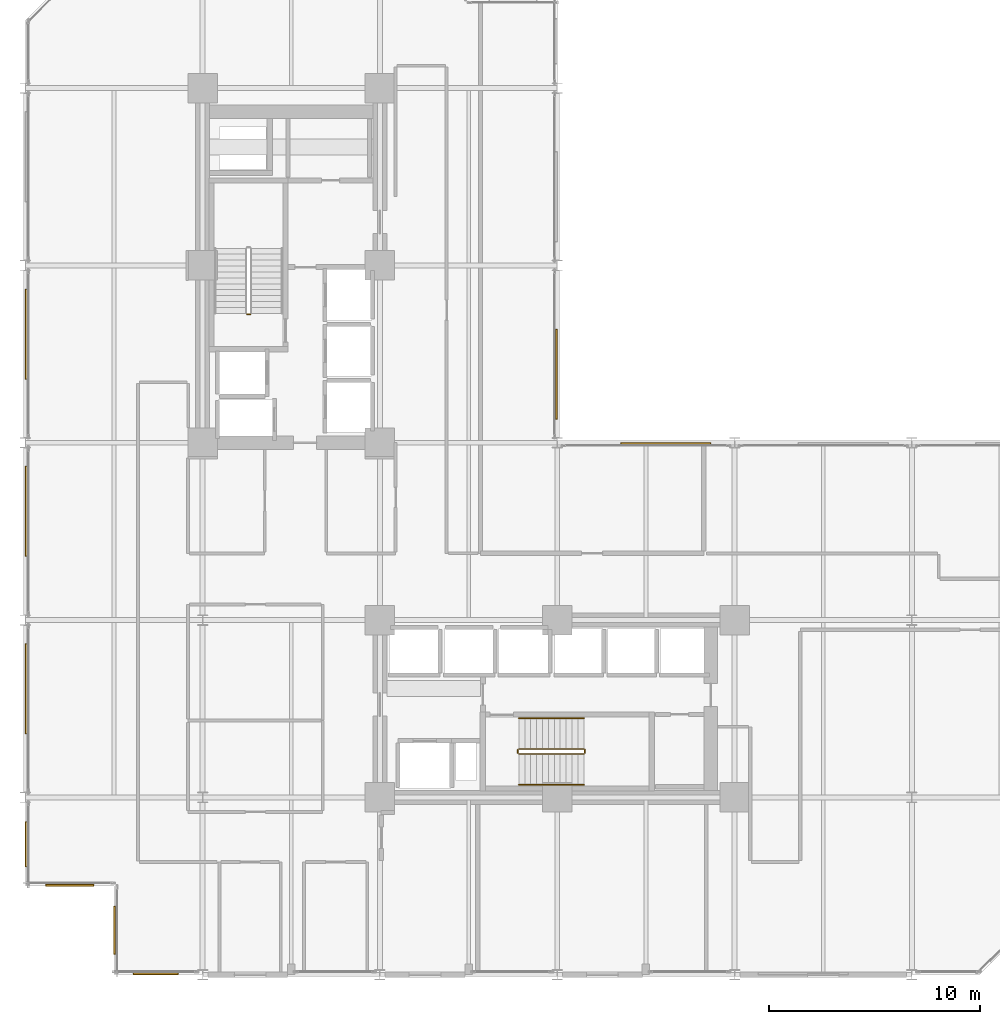
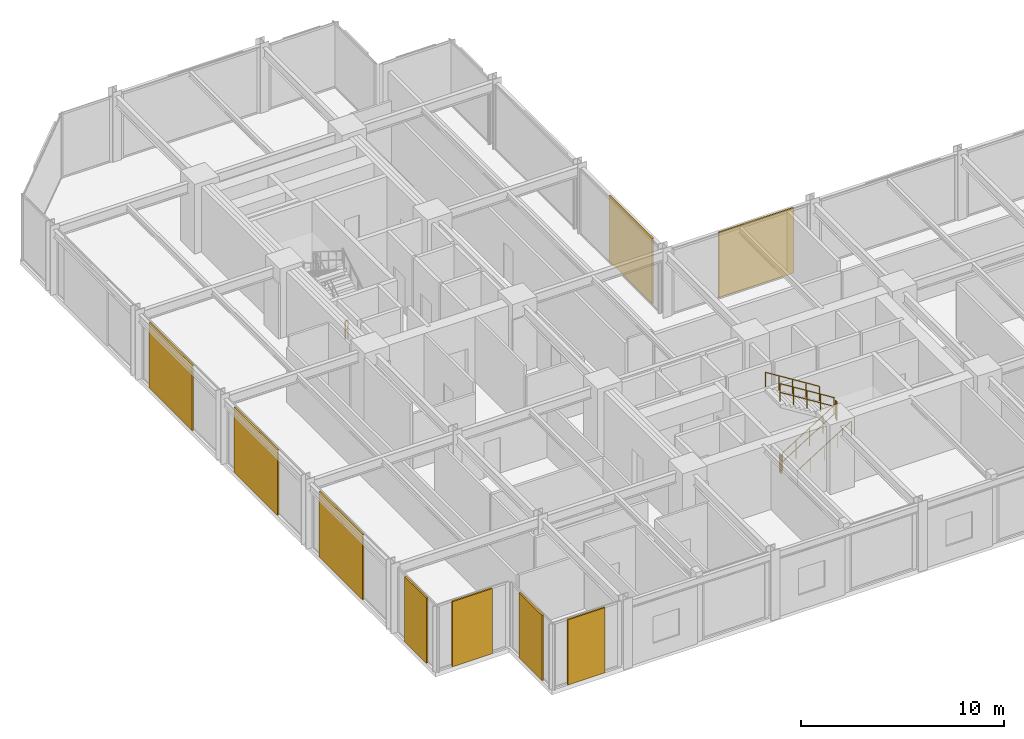
# One storey, part 24 of 26: 9 coverings, 7 railings.
"""IFC4 building model written with IfcOpenShell, lengths in metres."""

from ifc_helpers import new_model, si_unit, direction, frame, origin, origin_2d, place, context, subcontext, project, spatial, rectangle, circle, extrude, material, layer, layer_set, type_object, element, save


model = new_model("IFC4")

# Units and contexts
model_context = context("Model", 3, precision=1e-05, world=origin(), true_north=direction((0.0, 1.0)))
body_context = subcontext(model_context, "Body", "Model", "MODEL_VIEW")
ifc_project = project(units=[si_unit("LENGTHUNIT", "METRE"), si_unit("AREAUNIT", "SQUARE_METRE"), si_unit("VOLUMEUNIT", "CUBIC_METRE"), si_unit("PLANEANGLEUNIT", "RADIAN"), si_unit("MASSUNIT", "GRAM", prefix="KILO")], contexts=[model_context])

# Site, building, storey
site_placement = place(None, origin())
site = spatial("IfcSite", under=ifc_project, at=site_placement, CompositionType="ELEMENT")
building_placement = place(site_placement, origin())
building = spatial("IfcBuilding", under=site, at=building_placement, Name="Nerrivon Quay Data Exchange", CompositionType="ELEMENT")
storey_placement = place(building_placement, frame((0.0, 0.0, 71.0)))
storey = spatial("IfcBuildingStorey", under=building, at=storey_placement, Name="L16", CompositionType="ELEMENT", Elevation=71.0)

# Coverings
ifc_material_1 = material(Name="Architectural terracotta ceramic", Category="masonry")
ifc_layer = layer(ifc_material_1, 0.090087890625)
ifc_layer_set = layer_set([ifc_layer], Name="Architectural terracotta ceramic")
covering_type = type_object("IfcCoveringType", Name="COV-SCR-TERR", PredefinedType="CLADDING", material=ifc_layer_set)
covering_1_placement = place(storey_placement, frame((6.175048828125, 0.044921875, 0.0), z_axis=(0.0, 0.0, 1.0), x_axis=(-1.0, 0.0, 0.0)))
element("IfcCovering", 1, at=covering_1_placement, inside=storey, type_object=covering_type, Name="L16 Perforated Terracotta SOLAR SCREEN Cassette", PredefinedType="CLADDING", context=body_context, shape_type="SweptSolid", body=[
    extrude(rectangle(XDim=2.133056640625, YDim=0.090087890625, at=origin_2d()), origin(), (0.0, 0.0, 1.0), 3.925048828125),
])
for number, where, z_axis, x_axis, name in (
    (2, (4.2451171875, 2.10009765625, 0.0), (0.0, 0.0, 1.0), (0.0, 1.0, 0.0), "L16 Perforated Terracotta SOLAR SCREEN Cassette"),
    (3, (2.10009765625, 4.2451171875, 0.0), (0.0, 0.0, 1.0), (-1.0, 0.0, 0.0), "L16 Perforated Terracotta SOLAR SCREEN Cassette"),
):
    element("IfcCovering", number, at=place(storey_placement, frame(where, z_axis=z_axis, x_axis=x_axis)), inside=storey, type_object=covering_type, Name=name, PredefinedType="CLADDING", context=body_context, shape_type="SweptSolid", body=[
        extrude(rectangle(XDim=2.26806640625, YDim=0.090087890625, at=origin_2d()), origin(), (0.0, 0.0, 1.0), 3.925048828125),
    ])
covering_2_placement = place(storey_placement, frame((0.044921875, 6.175048828125, 0.0), z_axis=(0.0, 0.0, 1.0), x_axis=(0.0, 1.0, 0.0)))
element("IfcCovering", 4, at=covering_2_placement, inside=storey, type_object=covering_type, Name="L16 Perforated Terracotta SOLAR SCREEN Cassette", PredefinedType="CLADDING", context=body_context, shape_type="SweptSolid", body=[
    extrude(rectangle(XDim=2.133056640625, YDim=0.090087890625, at=origin_2d()), origin(), (0.0, 0.0, 1.0), 3.925048828125),
])
for number, where, z_axis, x_axis, name in (
    (5, (0.044921875, 13.548095703125, 0.0), (0.0, 0.0, 1.0), (0.0, 1.0, 0.0), "L16 Perforated Terracotta SOLAR SCREEN Cassette"),
    (6, (0.044921875, 21.947998046875, 0.0), (0.0, 0.0, 1.0), (0.0, 1.0, 0.0), "L16 Perforated Terracotta SOLAR SCREEN Cassette"),
    (7, (0.044921875, 30.347900390625, 0.0), (0.0, 0.0, 1.0), (0.0, 1.0, 0.0), "L16 Perforated Terracotta SOLAR SCREEN Cassette"),
    (8, (25.155029296875, 28.451904296875, 0.0), (0.0, 0.0, 1.0), (0.0, -1.0, 0.0), "L16 Perforated Terracotta SOLAR SCREEN Cassette"),
    (9, (30.347900390625, 25.155029296875, 0.0), (0.0, 0.0, 1.0), (1.0, 0.0, 0.0), "L16 Perforated Terracotta SOLAR SCREEN Cassette"),
):
    element("IfcCovering", number, at=place(storey_placement, frame(where, z_axis=z_axis, x_axis=x_axis)), inside=storey, type_object=covering_type, Name=name, PredefinedType="CLADDING", context=body_context, shape_type="SweptSolid", body=[
        extrude(rectangle(XDim=4.26611328125, YDim=0.090087890625, at=origin_2d()), origin(), (0.0, 0.0, 1.0), 3.925048828125),
    ])

# Railings
ifc_material_2 = material(Name="Steel Grade C350L0 (350 MPa)", Category="steel")
railing_type_1 = type_object("IfcRailingType", Name="RAIL-HAND-HR1", PredefinedType="HANDRAIL", material=ifc_material_2)
railing_1_placement = place(storey_placement, frame((23.3798828125, 9.0, 0.175048828125)))
element("IfcRailing", 10, at=railing_1_placement, inside=storey, type_object=railing_type_1, Name="L16 ST02 stair handrail 1", PredefinedType="HANDRAIL", context=body_context, shape_type="SweptSolid", body=[
    extrude(circle(Radius=0.02392578125, at=origin_2d()), frame((0.0, 0.0, 0.8759765625), z_axis=(0.847998304005, 0.0, 0.529998940003), x_axis=(0.0, 1.0, 0.0)), (0.0, 0.0, 1.0), 3.632080078125),
    extrude(circle(Radius=0.02099609375, at=origin_2d()), origin(), (0.0, 0.0, 1.0), 0.851806640625),
    extrude(circle(Radius=0.02099609375, at=origin_2d()), frame((0.77001953125, 0.0, 0.481201171875)), (0.0, 0.0, 1.0), 0.851806640625),
    extrude(circle(Radius=0.02099609375, at=origin_2d()), frame((1.5400390625, 0.0, 0.96240234375)), (0.0, 0.0, 1.0), 0.851806640625),
    extrude(circle(Radius=0.02099609375, at=origin_2d()), frame((2.31005859375, 0.0, 1.44384765625)), (0.0, 0.0, 1.0), 0.851806640625),
    extrude(circle(Radius=0.02099609375, at=origin_2d()), frame((3.080078125, 0.0, 1.925048828125)), (0.0, 0.0, 1.0), 0.851806640625),
])
railing_2_placement = place(storey_placement, frame((26.4599609375, 12.14990234375, 2.27490234375)))
element("IfcRailing", 11, at=railing_2_placement, inside=storey, type_object=railing_type_1, Name="L16 ST02 stair handrail 2", PredefinedType="HANDRAIL", context=body_context, shape_type="SweptSolid", body=[
    extrude(circle(Radius=0.02392578125, at=origin_2d()), frame((0.0, 0.0, 0.8759765625), z_axis=(-0.847998304005, 0.0, 0.529998940003), x_axis=(0.0, -1.0, 0.0)), (0.0, 0.0, 1.0), 3.632080078125),
    extrude(circle(Radius=0.02099609375, at=origin_2d()), origin(), (0.0, 0.0, 1.0), 0.851806640625),
    extrude(circle(Radius=0.02099609375, at=origin_2d()), frame((-0.77001953125, 0.0, 0.481201171875)), (0.0, 0.0, 1.0), 0.851806640625),
    extrude(circle(Radius=0.02099609375, at=origin_2d()), frame((-1.5400390625, 0.0, 0.96240234375)), (0.0, 0.0, 1.0), 0.851806640625),
    extrude(circle(Radius=0.02099609375, at=origin_2d()), frame((-2.31005859375, 0.0, 1.44384765625)), (0.0, 0.0, 1.0), 0.851806640625),
    extrude(circle(Radius=0.02099609375, at=origin_2d()), frame((-3.080078125, 0.0, 1.925048828125)), (0.0, 0.0, 1.0), 0.851806640625),
])
railing_type_2 = type_object("IfcRailingType", Name="RAIL-STAIR-GR1", PredefinedType="BALUSTRADE", material=ifc_material_2)
railing_3_placement = place(storey_placement, frame((10.64990234375, 31.280029296875, 0.0)))
element("IfcRailing", 12, at=railing_3_placement, inside=storey, type_object=railing_type_2, Name="L16 ST01 stair guard 4", PredefinedType="BALUSTRADE", context=body_context, shape_type="SweptSolid", body=[
    extrude(circle(Radius=0.02392578125, at=origin_2d()), frame((0.0, 0.0, 1.076171875), z_axis=(-1.0, 0.0, 0.0), x_axis=(0.0, -1.0, 0.0)), (0.0, 0.0, 1.0), 0.14990234375),
    extrude(circle(Radius=0.02392578125, at=origin_2d()), frame((0.0, 0.0, 0.550048828125), z_axis=(-1.0, 0.0, 0.0), x_axis=(0.0, -1.0, 0.0)), (0.0, 0.0, 1.0), 0.14990234375),
    extrude(circle(Radius=0.02099609375, at=origin_2d()), origin(), (0.0, 0.0, 1.0), 1.052001953125),
    extrude(circle(Radius=0.02099609375, at=origin_2d()), frame((-0.14990234375, 0.0, 0.0)), (0.0, 0.0, 1.0), 1.052001953125),
])
railing_4_placement = place(storey_placement, frame((23.3798828125, 10.449951171875, 0.175048828125)))
element("IfcRailing", 13, at=railing_4_placement, inside=storey, type_object=railing_type_2, Name="L16 ST02 stair guard 1", PredefinedType="BALUSTRADE", context=body_context, shape_type="SweptSolid", body=[
    extrude(circle(Radius=0.02392578125, at=origin_2d()), frame((0.0, 0.0, 1.076171875), z_axis=(0.847998304005, 0.0, 0.529998940003), x_axis=(0.0, 1.0, 0.0)), (0.0, 0.0, 1.0), 3.632080078125),
    extrude(circle(Radius=0.02392578125, at=origin_2d()), frame((0.0, 0.0, 0.550048828125), z_axis=(0.847998304005, 0.0, 0.529998940003), x_axis=(0.0, 1.0, 0.0)), (0.0, 0.0, 1.0), 3.632080078125),
    extrude(circle(Radius=0.02099609375, at=origin_2d()), origin(), (0.0, 0.0, 1.0), 1.052001953125),
    extrude(circle(Radius=0.02099609375, at=origin_2d()), frame((0.77001953125, 0.0, 0.481201171875)), (0.0, 0.0, 1.0), 1.052001953125),
    extrude(circle(Radius=0.02099609375, at=origin_2d()), frame((1.5400390625, 0.0, 0.96240234375)), (0.0, 0.0, 1.0), 1.052001953125),
    extrude(circle(Radius=0.02099609375, at=origin_2d()), frame((2.31005859375, 0.0, 1.44384765625)), (0.0, 0.0, 1.0), 1.052001953125),
    extrude(circle(Radius=0.02099609375, at=origin_2d()), frame((3.080078125, 0.0, 1.925048828125)), (0.0, 0.0, 1.0), 1.052001953125),
])
railing_5_placement = place(storey_placement, frame((26.510009765625, 10.5, 2.10009765625)))
element("IfcRailing", 14, at=railing_5_placement, inside=storey, type_object=railing_type_2, Name="L16 ST02 stair guard 2", PredefinedType="BALUSTRADE", context=body_context, shape_type="SweptSolid", body=[
    extrude(circle(Radius=0.02392578125, at=origin_2d()), frame((0.0, 0.0, 1.076171875), z_axis=(0.0, 1.0, 0.0), x_axis=(-1.0, 0.0, 0.0)), (0.0, 0.0, 1.0), 0.14990234375),
    extrude(circle(Radius=0.02392578125, at=origin_2d()), frame((0.0, 0.0, 0.550048828125), z_axis=(0.0, 1.0, 0.0), x_axis=(-1.0, 0.0, 0.0)), (0.0, 0.0, 1.0), 0.14990234375),
    extrude(circle(Radius=0.02099609375, at=origin_2d()), origin(), (0.0, 0.0, 1.0), 1.052001953125),
    extrude(circle(Radius=0.02099609375, at=origin_2d()), frame((0.0, 0.14990234375, 0.0)), (0.0, 0.0, 1.0), 1.052001953125),
])
railing_6_placement = place(storey_placement, frame((26.4599609375, 10.699951171875, 2.27490234375)))
element("IfcRailing", 15, at=railing_6_placement, inside=storey, type_object=railing_type_2, Name="L16 ST02 stair guard 3", PredefinedType="BALUSTRADE", context=body_context, shape_type="SweptSolid", body=[
    extrude(circle(Radius=0.02392578125, at=origin_2d()), frame((0.0, 0.0, 1.076171875), z_axis=(-0.847998304005, 0.0, 0.529998940003), x_axis=(0.0, -1.0, 0.0)), (0.0, 0.0, 1.0), 3.632080078125),
    extrude(circle(Radius=0.02392578125, at=origin_2d()), frame((0.0, 0.0, 0.550048828125), z_axis=(-0.847998304005, 0.0, 0.529998940003), x_axis=(0.0, -1.0, 0.0)), (0.0, 0.0, 1.0), 3.632080078125),
    extrude(circle(Radius=0.02099609375, at=origin_2d()), origin(), (0.0, 0.0, 1.0), 1.052001953125),
    extrude(circle(Radius=0.02099609375, at=origin_2d()), frame((-0.77001953125, 0.0, 0.481201171875)), (0.0, 0.0, 1.0), 1.052001953125),
    extrude(circle(Radius=0.02099609375, at=origin_2d()), frame((-1.5400390625, 0.0, 0.96240234375)), (0.0, 0.0, 1.0), 1.052001953125),
    extrude(circle(Radius=0.02099609375, at=origin_2d()), frame((-2.31005859375, 0.0, 1.44384765625)), (0.0, 0.0, 1.0), 1.052001953125),
    extrude(circle(Radius=0.02099609375, at=origin_2d()), frame((-3.080078125, 0.0, 1.925048828125)), (0.0, 0.0, 1.0), 1.052001953125),
])
railing_7_placement = place(storey_placement, frame((23.330078125, 10.5, 0.0)))
element("IfcRailing", 16, at=railing_7_placement, inside=storey, type_object=railing_type_2, Name="L16 ST02 stair guard 4", PredefinedType="BALUSTRADE", context=body_context, shape_type="SweptSolid", body=[
    extrude(circle(Radius=0.02392578125, at=origin_2d()), frame((0.0, 0.0, 1.076171875), z_axis=(0.0, 1.0, 0.0), x_axis=(-1.0, 0.0, 0.0)), (0.0, 0.0, 1.0), 0.14990234375),
    extrude(circle(Radius=0.02392578125, at=origin_2d()), frame((0.0, 0.0, 0.550048828125), z_axis=(0.0, 1.0, 0.0), x_axis=(-1.0, 0.0, 0.0)), (0.0, 0.0, 1.0), 0.14990234375),
    extrude(circle(Radius=0.02099609375, at=origin_2d()), origin(), (0.0, 0.0, 1.0), 1.052001953125),
    extrude(circle(Radius=0.02099609375, at=origin_2d()), frame((0.0, 0.14990234375, 0.0)), (0.0, 0.0, 1.0), 1.052001953125),
])

save(model, "model.ifc")
